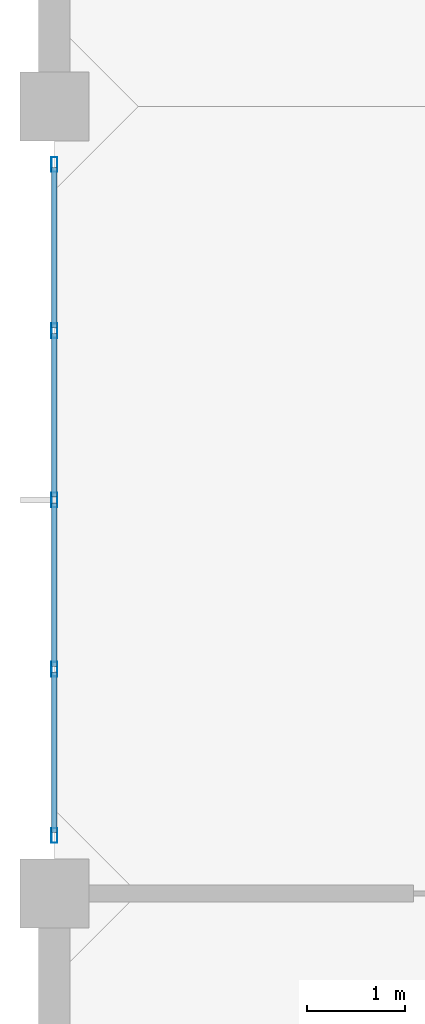
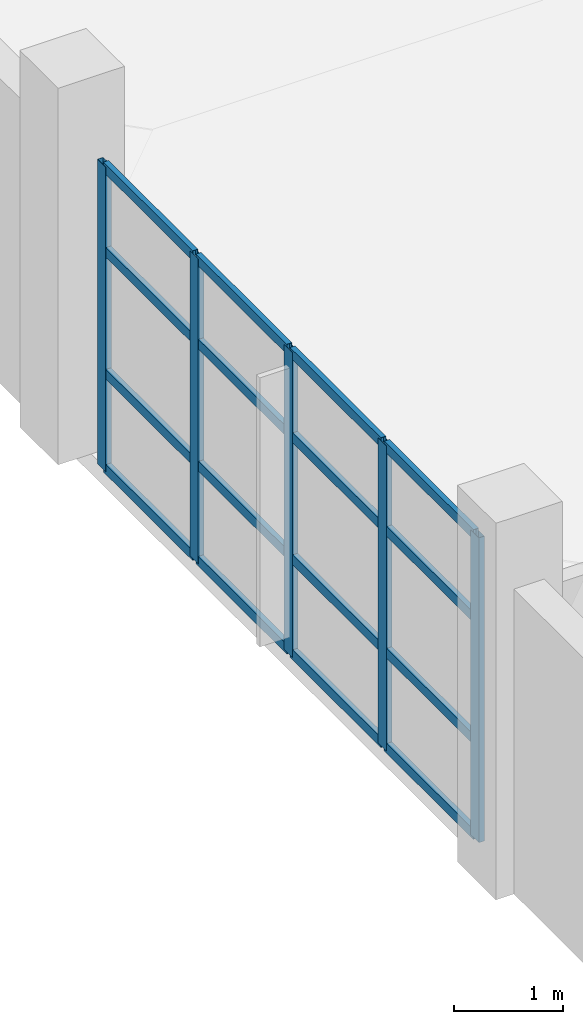
# One storey, part 4 of 27: 21 members, 1 element without a shape of its own.
"""IFC4 building model written with IfcOpenShell, lengths in metres."""

from ifc_helpers import new_model, si_unit, direction, frame, origin, origin_2d, place, context, subcontext, project, spatial, hollow_rectangle, extrude, material, layer, layer_set, material_profile, profile_set, type_object, element, aggregate, save


model = new_model("IFC4")

# Units and contexts
model_context = context("Model", 3, precision=1e-05, world=origin(), true_north=direction((0.0, 1.0)))
body_context = subcontext(model_context, "Body", "Model", "MODEL_VIEW")
ifc_project = project(units=[si_unit("LENGTHUNIT", "METRE"), si_unit("AREAUNIT", "SQUARE_METRE"), si_unit("VOLUMEUNIT", "CUBIC_METRE"), si_unit("PLANEANGLEUNIT", "RADIAN"), si_unit("MASSUNIT", "GRAM", prefix="KILO")], contexts=[model_context])

# Site, building, storey
site_placement = place(None, origin())
site = spatial("IfcSite", under=ifc_project, at=site_placement, CompositionType="ELEMENT")
building_placement = place(site_placement, origin())
building = spatial("IfcBuilding", under=site, at=building_placement, Name="Canggui Botanical Conservatory", CompositionType="ELEMENT")
storey_placement = place(building_placement, frame((0.0, 0.0, 36.0)))
storey = spatial("IfcBuildingStorey", under=building, at=storey_placement, Name="L09", CompositionType="ELEMENT", Elevation=36.0)

# Curtain wall, members
ifc_material = material(Name="Thermally Broken Aluminium", Category="aluminium")
ifc_layer = layer(ifc_material, 0.14990234375, Name="Thermally Broken Aluminium", Category="aluminium")
ifc_layer_set = layer_set([ifc_layer], Name="Thermally Broken Aluminium")
curtain_wall_type = type_object("IfcCurtainWallType", Name="CW-UNIT-C", PredefinedType="USERDEFINED", material=ifc_layer_set)
curtain_wall_placement = place(storey_placement, origin())
curtain_wall = element("IfcCurtainWall", 1, at=curtain_wall_placement, inside=storey, type_object=curtain_wall_type, Name="Facade Curtain Wall CW-TWR-L09-07", ObjectType="UNITISED CURTAIN WALL", PredefinedType="USERDEFINED")
ifc_material_profile_1 = material_profile(ifc_material, hollow_rectangle(XDim=0.06005859375, YDim=0.14990234375, WallThickness=0.00341796875, at=origin_2d()), Name="CWM 60x150x3.5")
ifc_profile_set_1 = profile_set([ifc_material_profile_1], Name="Thermally Broken Aluminium")
member_type_1 = type_object("IfcMemberType", Name="CWM-03", PredefinedType="MULLION", material=ifc_profile_set_1)
member_1_placement = place(storey_placement, frame((138.0, 42.590087890625, 0.0), z_axis=(0.0, 0.0, 1.0), x_axis=(-1.0, 0.0, 0.0)))
member_1 = element("IfcMember", 2, at=member_1_placement, type_object=member_type_1, Name="CW-03 mullion 1", PredefinedType="MULLION", context=body_context, shape_type="SweptSolid", body=[
    extrude(hollow_rectangle(XDim=0.06005859375, YDim=0.14990234375, WallThickness=0.00341796875, at=origin_2d()), origin(), (0.0, 0.0, 1.0), 3.39990234375),
])
member_2_placement = place(storey_placement, frame((138.0, 44.280029296875, 0.0), z_axis=(0.0, 0.0, 1.0), x_axis=(-1.0, 0.0, 0.0)))
member_2 = element("IfcMember", 3, at=member_2_placement, type_object=member_type_1, Name="CW-03 mullion 2", PredefinedType="MULLION", context=body_context, shape_type="SweptSolid", body=[
    extrude(hollow_rectangle(XDim=0.06005859375, YDim=0.14990234375, WallThickness=0.00341796875, at=origin_2d()), origin(), (0.0, 0.0, 1.0), 3.39990234375),
])
member_3_placement = place(storey_placement, frame((138.0, 46.0, 0.0), z_axis=(0.0, 0.0, 1.0), x_axis=(-1.0, 0.0, 0.0)))
member_3 = element("IfcMember", 4, at=member_3_placement, type_object=member_type_1, Name="CW-03 mullion 3", PredefinedType="MULLION", context=body_context, shape_type="SweptSolid", body=[
    extrude(hollow_rectangle(XDim=0.06005859375, YDim=0.14990234375, WallThickness=0.00341796875, at=origin_2d()), origin(), (0.0, 0.0, 1.0), 3.39990234375),
])
member_4_placement = place(storey_placement, frame((138.0, 47.719970703125, 0.0), z_axis=(0.0, 0.0, 1.0), x_axis=(-1.0, 0.0, 0.0)))
member_4 = element("IfcMember", 5, at=member_4_placement, type_object=member_type_1, Name="CW-03 mullion 4", PredefinedType="MULLION", context=body_context, shape_type="SweptSolid", body=[
    extrude(hollow_rectangle(XDim=0.06005859375, YDim=0.14990234375, WallThickness=0.00341796875, at=origin_2d()), origin(), (0.0, 0.0, 1.0), 3.39990234375),
])
member_5_placement = place(storey_placement, frame((138.0, 49.409912109375, 0.0), z_axis=(0.0, 0.0, 1.0), x_axis=(-1.0, 0.0, 0.0)))
member_5 = element("IfcMember", 6, at=member_5_placement, type_object=member_type_1, Name="CW-03 mullion 5", PredefinedType="MULLION", context=body_context, shape_type="SweptSolid", body=[
    extrude(hollow_rectangle(XDim=0.06005859375, YDim=0.14990234375, WallThickness=0.00341796875, at=origin_2d()), origin(), (0.0, 0.0, 1.0), 3.39990234375),
])
ifc_material_profile_2 = material_profile(ifc_material, hollow_rectangle(XDim=0.054931640625, YDim=0.110107421875, WallThickness=0.0029296875, at=origin_2d()), Name="CWT 55x110x3")
ifc_profile_set_2 = profile_set([ifc_material_profile_2], Name="Thermally Broken Aluminium")
member_type_2 = type_object("IfcMemberType", Name="CWT-03", PredefinedType="USERDEFINED", material=ifc_profile_set_2)
member_6_placement = place(storey_placement, frame((138.0, 42.6201171875, 0.027587890625), z_axis=(0.0, 1.0, 0.0), x_axis=(-1.0, 0.0, 0.0)))
member_6 = element("IfcMember", 7, at=member_6_placement, type_object=member_type_2, Name="CW-03 transom 1.1", ObjectType="TRANSOM", PredefinedType="USERDEFINED", context=body_context, shape_type="SweptSolid", body=[
    extrude(hollow_rectangle(XDim=0.054931640625, YDim=0.110107421875, WallThickness=0.0029296875, at=origin_2d()), origin(), (0.0, 0.0, 1.0), 1.6298828125),
])
member_7_placement = place(storey_placement, frame((138.0, 42.6201171875, 1.087890625), z_axis=(0.0, 1.0, 0.0), x_axis=(-1.0, 0.0, 0.0)))
member_7 = element("IfcMember", 8, at=member_7_placement, type_object=member_type_2, Name="CW-03 transom 1.2", ObjectType="TRANSOM", PredefinedType="USERDEFINED", context=body_context, shape_type="SweptSolid", body=[
    extrude(hollow_rectangle(XDim=0.054931640625, YDim=0.110107421875, WallThickness=0.0029296875, at=origin_2d()), origin(), (0.0, 0.0, 1.0), 1.6298828125),
])
member_8_placement = place(storey_placement, frame((138.0, 42.6201171875, 2.447998046875), z_axis=(0.0, 1.0, 0.0), x_axis=(-1.0, 0.0, 0.0)))
member_8 = element("IfcMember", 9, at=member_8_placement, type_object=member_type_2, Name="CW-03 transom 1.3", ObjectType="TRANSOM", PredefinedType="USERDEFINED", context=body_context, shape_type="SweptSolid", body=[
    extrude(hollow_rectangle(XDim=0.054931640625, YDim=0.110107421875, WallThickness=0.0029296875, at=origin_2d()), origin(), (0.0, 0.0, 1.0), 1.6298828125),
])
member_9_placement = place(storey_placement, frame((138.0, 42.6201171875, 3.37255859375), z_axis=(0.0, 1.0, 0.0), x_axis=(-1.0, 0.0, 0.0)))
member_9 = element("IfcMember", 10, at=member_9_placement, type_object=member_type_2, Name="CW-03 transom 1.4", ObjectType="TRANSOM", PredefinedType="USERDEFINED", context=body_context, shape_type="SweptSolid", body=[
    extrude(hollow_rectangle(XDim=0.054931640625, YDim=0.110107421875, WallThickness=0.0029296875, at=origin_2d()), origin(), (0.0, 0.0, 1.0), 1.6298828125),
])
member_10_placement = place(storey_placement, frame((138.0, 44.31005859375, 0.027587890625), z_axis=(0.0, 1.0, 0.0), x_axis=(-1.0, 0.0, 0.0)))
member_10 = element("IfcMember", 11, at=member_10_placement, type_object=member_type_2, Name="CW-03 transom 2.1", ObjectType="TRANSOM", PredefinedType="USERDEFINED", context=body_context, shape_type="SweptSolid", body=[
    extrude(hollow_rectangle(XDim=0.054931640625, YDim=0.110107421875, WallThickness=0.0029296875, at=origin_2d()), origin(), (0.0, 0.0, 1.0), 1.659912109375),
])
member_11_placement = place(storey_placement, frame((138.0, 44.31005859375, 1.087890625), z_axis=(0.0, 1.0, 0.0), x_axis=(-1.0, 0.0, 0.0)))
member_11 = element("IfcMember", 12, at=member_11_placement, type_object=member_type_2, Name="CW-03 transom 2.2", ObjectType="TRANSOM", PredefinedType="USERDEFINED", context=body_context, shape_type="SweptSolid", body=[
    extrude(hollow_rectangle(XDim=0.054931640625, YDim=0.110107421875, WallThickness=0.0029296875, at=origin_2d()), origin(), (0.0, 0.0, 1.0), 1.659912109375),
])
member_12_placement = place(storey_placement, frame((138.0, 44.31005859375, 2.447998046875), z_axis=(0.0, 1.0, 0.0), x_axis=(-1.0, 0.0, 0.0)))
member_12 = element("IfcMember", 13, at=member_12_placement, type_object=member_type_2, Name="CW-03 transom 2.3", ObjectType="TRANSOM", PredefinedType="USERDEFINED", context=body_context, shape_type="SweptSolid", body=[
    extrude(hollow_rectangle(XDim=0.054931640625, YDim=0.110107421875, WallThickness=0.0029296875, at=origin_2d()), origin(), (0.0, 0.0, 1.0), 1.659912109375),
])
member_13_placement = place(storey_placement, frame((138.0, 44.31005859375, 3.37255859375), z_axis=(0.0, 1.0, 0.0), x_axis=(-1.0, 0.0, 0.0)))
member_13 = element("IfcMember", 14, at=member_13_placement, type_object=member_type_2, Name="CW-03 transom 2.4", ObjectType="TRANSOM", PredefinedType="USERDEFINED", context=body_context, shape_type="SweptSolid", body=[
    extrude(hollow_rectangle(XDim=0.054931640625, YDim=0.110107421875, WallThickness=0.0029296875, at=origin_2d()), origin(), (0.0, 0.0, 1.0), 1.659912109375),
])
member_14_placement = place(storey_placement, frame((138.0, 46.030029296875, 0.027587890625), z_axis=(0.0, 1.0, 0.0), x_axis=(-1.0, 0.0, 0.0)))
member_14 = element("IfcMember", 15, at=member_14_placement, type_object=member_type_2, Name="CW-03 transom 3.1", ObjectType="TRANSOM", PredefinedType="USERDEFINED", context=body_context, shape_type="SweptSolid", body=[
    extrude(hollow_rectangle(XDim=0.054931640625, YDim=0.110107421875, WallThickness=0.0029296875, at=origin_2d()), origin(), (0.0, 0.0, 1.0), 1.659912109375),
])
member_15_placement = place(storey_placement, frame((138.0, 46.030029296875, 1.087890625), z_axis=(0.0, 1.0, 0.0), x_axis=(-1.0, 0.0, 0.0)))
member_15 = element("IfcMember", 16, at=member_15_placement, type_object=member_type_2, Name="CW-03 transom 3.2", ObjectType="TRANSOM", PredefinedType="USERDEFINED", context=body_context, shape_type="SweptSolid", body=[
    extrude(hollow_rectangle(XDim=0.054931640625, YDim=0.110107421875, WallThickness=0.0029296875, at=origin_2d()), origin(), (0.0, 0.0, 1.0), 1.659912109375),
])
member_16_placement = place(storey_placement, frame((138.0, 46.030029296875, 2.447998046875), z_axis=(0.0, 1.0, 0.0), x_axis=(-1.0, 0.0, 0.0)))
member_16 = element("IfcMember", 17, at=member_16_placement, type_object=member_type_2, Name="CW-03 transom 3.3", ObjectType="TRANSOM", PredefinedType="USERDEFINED", context=body_context, shape_type="SweptSolid", body=[
    extrude(hollow_rectangle(XDim=0.054931640625, YDim=0.110107421875, WallThickness=0.0029296875, at=origin_2d()), origin(), (0.0, 0.0, 1.0), 1.659912109375),
])
member_17_placement = place(storey_placement, frame((138.0, 46.030029296875, 3.37255859375), z_axis=(0.0, 1.0, 0.0), x_axis=(-1.0, 0.0, 0.0)))
member_17 = element("IfcMember", 18, at=member_17_placement, type_object=member_type_2, Name="CW-03 transom 3.4", ObjectType="TRANSOM", PredefinedType="USERDEFINED", context=body_context, shape_type="SweptSolid", body=[
    extrude(hollow_rectangle(XDim=0.054931640625, YDim=0.110107421875, WallThickness=0.0029296875, at=origin_2d()), origin(), (0.0, 0.0, 1.0), 1.659912109375),
])
member_18_placement = place(storey_placement, frame((138.0, 47.75, 0.027587890625), z_axis=(0.0, 1.0, 0.0), x_axis=(-1.0, 0.0, 0.0)))
member_18 = element("IfcMember", 19, at=member_18_placement, type_object=member_type_2, Name="CW-03 transom 4.1", ObjectType="TRANSOM", PredefinedType="USERDEFINED", context=body_context, shape_type="SweptSolid", body=[
    extrude(hollow_rectangle(XDim=0.054931640625, YDim=0.110107421875, WallThickness=0.0029296875, at=origin_2d()), origin(), (0.0, 0.0, 1.0), 1.6298828125),
])
member_19_placement = place(storey_placement, frame((138.0, 47.75, 1.087890625), z_axis=(0.0, 1.0, 0.0), x_axis=(-1.0, 0.0, 0.0)))
member_19 = element("IfcMember", 20, at=member_19_placement, type_object=member_type_2, Name="CW-03 transom 4.2", ObjectType="TRANSOM", PredefinedType="USERDEFINED", context=body_context, shape_type="SweptSolid", body=[
    extrude(hollow_rectangle(XDim=0.054931640625, YDim=0.110107421875, WallThickness=0.0029296875, at=origin_2d()), origin(), (0.0, 0.0, 1.0), 1.6298828125),
])
member_20_placement = place(storey_placement, frame((138.0, 47.75, 2.447998046875), z_axis=(0.0, 1.0, 0.0), x_axis=(-1.0, 0.0, 0.0)))
member_20 = element("IfcMember", 21, at=member_20_placement, type_object=member_type_2, Name="CW-03 transom 4.3", ObjectType="TRANSOM", PredefinedType="USERDEFINED", context=body_context, shape_type="SweptSolid", body=[
    extrude(hollow_rectangle(XDim=0.054931640625, YDim=0.110107421875, WallThickness=0.0029296875, at=origin_2d()), origin(), (0.0, 0.0, 1.0), 1.6298828125),
])
member_21_placement = place(storey_placement, frame((138.0, 47.75, 3.37255859375), z_axis=(0.0, 1.0, 0.0), x_axis=(-1.0, 0.0, 0.0)))
member_21 = element("IfcMember", 22, at=member_21_placement, type_object=member_type_2, Name="CW-03 transom 4.4", ObjectType="TRANSOM", PredefinedType="USERDEFINED", context=body_context, shape_type="SweptSolid", body=[
    extrude(hollow_rectangle(XDim=0.054931640625, YDim=0.110107421875, WallThickness=0.0029296875, at=origin_2d()), origin(), (0.0, 0.0, 1.0), 1.6298828125),
])
aggregate(curtain_wall, [member_1, member_2, member_3, member_4, member_5, member_6, member_7, member_8, member_9, member_10, member_11, member_12, member_13, member_14, member_15, member_16, member_17, member_18, member_19, member_20, member_21])

save(model, "model.ifc")
